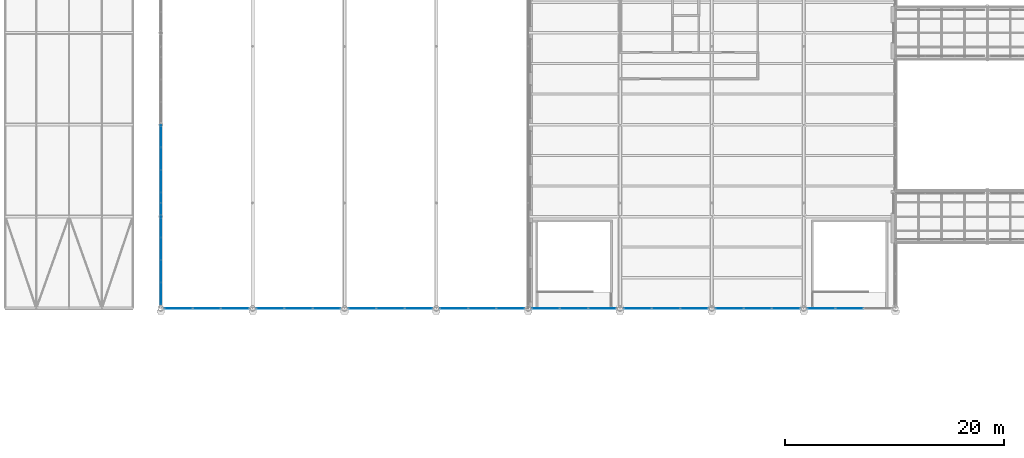
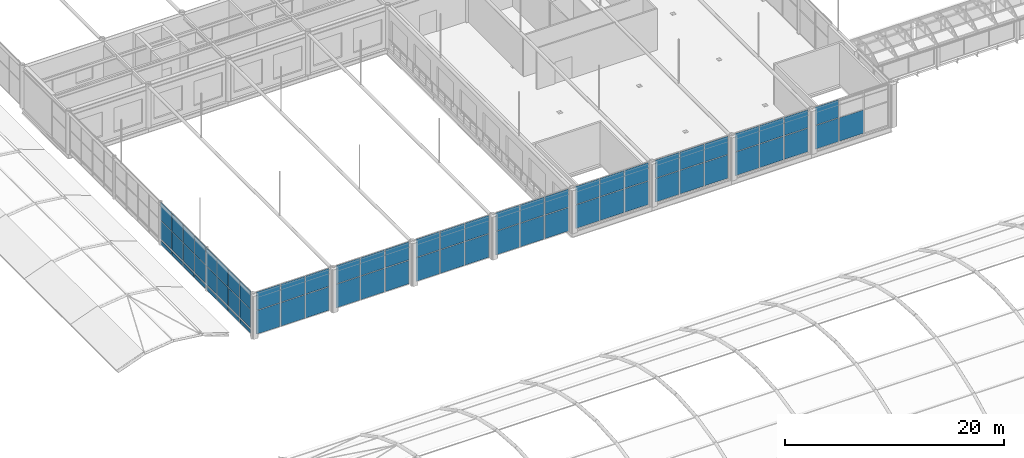
# One storey, part 142 of 167: 69 plates, 10 elements without a shape of their own.
"""IFC4 building model written with IfcOpenShell, lengths in metres."""

from ifc_helpers import new_model, si_unit, direction, frame, origin, origin_2d, place, context, subcontext, project, spatial, rectangle, extrude, material, layer, layer_set, type_object, element, aggregate, save


model = new_model("IFC4")

# Units and contexts
model_context = context("Model", 3, precision=1e-05, world=origin(), true_north=direction((0.0, 1.0)))
body_context = subcontext(model_context, "Body", "Model", "MODEL_VIEW")
ifc_project = project(units=[si_unit("LENGTHUNIT", "METRE"), si_unit("AREAUNIT", "SQUARE_METRE"), si_unit("VOLUMEUNIT", "CUBIC_METRE"), si_unit("PLANEANGLEUNIT", "RADIAN"), si_unit("MASSUNIT", "GRAM", prefix="KILO")], contexts=[model_context])

# Site, building, storey
site_placement = place(None, origin())
site = spatial("IfcSite", under=ifc_project, at=site_placement, CompositionType="ELEMENT")
building_placement = place(site_placement, origin())
building = spatial("IfcBuilding", under=site, at=building_placement, Name="Catenary Quay Ferry Terminal", CompositionType="ELEMENT")
storey_placement = place(building_placement, frame((0.0, 0.0, 6.0)))
storey = spatial("IfcBuildingStorey", under=building, at=storey_placement, Name="L01", CompositionType="ELEMENT", Elevation=6.0)

# Curtain wall, plates
ifc_material_1 = material(Name="Aluminium and glass", Category="aluminium")
curtain_wall_type_1 = type_object("IfcCurtainWallType", Name="CWG", PredefinedType="NOTDEFINED", material=ifc_material_1)
curtain_wall_1_placement = place(storey_placement, origin())
curtain_wall_1 = element("IfcCurtainWall", 1, at=curtain_wall_1_placement, inside=storey, type_object=curtain_wall_type_1, Name="Gable arrivals hall curtain wall CW4", PredefinedType="NOTDEFINED")
ifc_material_2 = material(Name="Glass", Category="glass")
ifc_layer_1 = layer(ifc_material_2, 0.031982421875)
ifc_layer_set_1 = layer_set([ifc_layer_1], Name="PN1")
plate_type_1 = type_object("IfcPlateType", Name="PN1", PredefinedType="CURTAIN_PANEL", material=ifc_layer_set_1)
plate_1_placement = place(storey_placement, frame((25.199951171875, 68.546142578125, 0.66015625), z_axis=(0.0, 0.0, 1.0), x_axis=(0.0, 1.0, 0.0)))
plate_1 = element("IfcPlate", 2, at=plate_1_placement, type_object=plate_type_1, Name="CW4 panel 1.1", PredefinedType="CURTAIN_PANEL", context=body_context, shape_type="SweptSolid", body=[
    extrude(rectangle(XDim=1.972412109375, YDim=0.031982421875, at=origin_2d()), origin(), (0.0, 0.0, 1.0), 2.010009765625),
])
plate_2_placement = place(storey_placement, frame((25.199951171875, 68.546142578125, 2.72998046875), z_axis=(0.0, 0.0, 1.0), x_axis=(0.0, 1.0, 0.0)))
plate_2 = element("IfcPlate", 3, at=plate_2_placement, type_object=plate_type_1, Name="CW4 panel 1.2", PredefinedType="CURTAIN_PANEL", context=body_context, shape_type="SweptSolid", body=[
    extrude(rectangle(XDim=1.972412109375, YDim=0.031982421875, at=origin_2d()), origin(), (0.0, 0.0, 1.0), 2.010009765625),
])
plate_3_placement = place(storey_placement, frame((25.199951171875, 70.59375, 0.66015625), z_axis=(0.0, 0.0, 1.0), x_axis=(0.0, 1.0, 0.0)))
plate_3 = element("IfcPlate", 4, at=plate_3_placement, type_object=plate_type_1, Name="CW4 panel 2.1", PredefinedType="CURTAIN_PANEL", context=body_context, shape_type="SweptSolid", body=[
    extrude(rectangle(XDim=2.00244140625, YDim=0.031982421875, at=origin_2d()), origin(), (0.0, 0.0, 1.0), 2.010009765625),
])
plate_4_placement = place(storey_placement, frame((25.199951171875, 70.59375, 2.72998046875), z_axis=(0.0, 0.0, 1.0), x_axis=(0.0, 1.0, 0.0)))
plate_4 = element("IfcPlate", 5, at=plate_4_placement, type_object=plate_type_1, Name="CW4 panel 2.2", PredefinedType="CURTAIN_PANEL", context=body_context, shape_type="SweptSolid", body=[
    extrude(rectangle(XDim=2.00244140625, YDim=0.031982421875, at=origin_2d()), origin(), (0.0, 0.0, 1.0), 2.010009765625),
])
plate_5_placement = place(storey_placement, frame((25.199951171875, 72.65625, 0.66015625), z_axis=(0.0, 0.0, 1.0), x_axis=(0.0, 1.0, 0.0)))
plate_5 = element("IfcPlate", 6, at=plate_5_placement, type_object=plate_type_1, Name="CW4 panel 3.1", PredefinedType="CURTAIN_PANEL", context=body_context, shape_type="SweptSolid", body=[
    extrude(rectangle(XDim=2.00244140625, YDim=0.031982421875, at=origin_2d()), origin(), (0.0, 0.0, 1.0), 2.010009765625),
])
plate_6_placement = place(storey_placement, frame((25.199951171875, 72.65625, 2.72998046875), z_axis=(0.0, 0.0, 1.0), x_axis=(0.0, 1.0, 0.0)))
plate_6 = element("IfcPlate", 7, at=plate_6_placement, type_object=plate_type_1, Name="CW4 panel 3.2", PredefinedType="CURTAIN_PANEL", context=body_context, shape_type="SweptSolid", body=[
    extrude(rectangle(XDim=2.00244140625, YDim=0.031982421875, at=origin_2d()), origin(), (0.0, 0.0, 1.0), 2.010009765625),
])
plate_7_placement = place(storey_placement, frame((25.199951171875, 74.71875, 0.66015625), z_axis=(0.0, 0.0, 1.0), x_axis=(0.0, 1.0, 0.0)))
plate_7 = element("IfcPlate", 8, at=plate_7_placement, type_object=plate_type_1, Name="CW4 panel 4.1", PredefinedType="CURTAIN_PANEL", context=body_context, shape_type="SweptSolid", body=[
    extrude(rectangle(XDim=2.00244140625, YDim=0.031982421875, at=origin_2d()), origin(), (0.0, 0.0, 1.0), 2.010009765625),
])
plate_8_placement = place(storey_placement, frame((25.199951171875, 74.71875, 2.72998046875), z_axis=(0.0, 0.0, 1.0), x_axis=(0.0, 1.0, 0.0)))
plate_8 = element("IfcPlate", 9, at=plate_8_placement, type_object=plate_type_1, Name="CW4 panel 4.2", PredefinedType="CURTAIN_PANEL", context=body_context, shape_type="SweptSolid", body=[
    extrude(rectangle(XDim=2.00244140625, YDim=0.031982421875, at=origin_2d()), origin(), (0.0, 0.0, 1.0), 2.010009765625),
])
plate_9_placement = place(storey_placement, frame((25.199951171875, 76.78125, 0.66015625), z_axis=(0.0, 0.0, 1.0), x_axis=(0.0, 1.0, 0.0)))
plate_9 = element("IfcPlate", 10, at=plate_9_placement, type_object=plate_type_1, Name="CW4 panel 5.1", PredefinedType="CURTAIN_PANEL", context=body_context, shape_type="SweptSolid", body=[
    extrude(rectangle(XDim=2.00244140625, YDim=0.031982421875, at=origin_2d()), origin(), (0.0, 0.0, 1.0), 2.010009765625),
])
plate_10_placement = place(storey_placement, frame((25.199951171875, 76.78125, 2.72998046875), z_axis=(0.0, 0.0, 1.0), x_axis=(0.0, 1.0, 0.0)))
plate_10 = element("IfcPlate", 11, at=plate_10_placement, type_object=plate_type_1, Name="CW4 panel 5.2", PredefinedType="CURTAIN_PANEL", context=body_context, shape_type="SweptSolid", body=[
    extrude(rectangle(XDim=2.00244140625, YDim=0.031982421875, at=origin_2d()), origin(), (0.0, 0.0, 1.0), 2.010009765625),
])
plate_11_placement = place(storey_placement, frame((25.199951171875, 78.84375, 0.66015625), z_axis=(0.0, 0.0, 1.0), x_axis=(0.0, 1.0, 0.0)))
plate_11 = element("IfcPlate", 12, at=plate_11_placement, type_object=plate_type_1, Name="CW4 panel 6.1", PredefinedType="CURTAIN_PANEL", context=body_context, shape_type="SweptSolid", body=[
    extrude(rectangle(XDim=2.00244140625, YDim=0.031982421875, at=origin_2d()), origin(), (0.0, 0.0, 1.0), 2.010009765625),
])
plate_12_placement = place(storey_placement, frame((25.199951171875, 78.84375, 2.72998046875), z_axis=(0.0, 0.0, 1.0), x_axis=(0.0, 1.0, 0.0)))
plate_12 = element("IfcPlate", 13, at=plate_12_placement, type_object=plate_type_1, Name="CW4 panel 6.2", PredefinedType="CURTAIN_PANEL", context=body_context, shape_type="SweptSolid", body=[
    extrude(rectangle(XDim=2.00244140625, YDim=0.031982421875, at=origin_2d()), origin(), (0.0, 0.0, 1.0), 2.010009765625),
])
plate_13_placement = place(storey_placement, frame((25.199951171875, 80.90625, 0.66015625), z_axis=(0.0, 0.0, 1.0), x_axis=(0.0, 1.0, 0.0)))
plate_13 = element("IfcPlate", 14, at=plate_13_placement, type_object=plate_type_1, Name="CW4 panel 7.1", PredefinedType="CURTAIN_PANEL", context=body_context, shape_type="SweptSolid", body=[
    extrude(rectangle(XDim=2.00244140625, YDim=0.031982421875, at=origin_2d()), origin(), (0.0, 0.0, 1.0), 2.010009765625),
])
plate_14_placement = place(storey_placement, frame((25.199951171875, 80.90625, 2.72998046875), z_axis=(0.0, 0.0, 1.0), x_axis=(0.0, 1.0, 0.0)))
plate_14 = element("IfcPlate", 15, at=plate_14_placement, type_object=plate_type_1, Name="CW4 panel 7.2", PredefinedType="CURTAIN_PANEL", context=body_context, shape_type="SweptSolid", body=[
    extrude(rectangle(XDim=2.00244140625, YDim=0.031982421875, at=origin_2d()), origin(), (0.0, 0.0, 1.0), 2.010009765625),
])
plate_15_placement = place(storey_placement, frame((25.199951171875, 82.96875, 0.66015625), z_axis=(0.0, 0.0, 1.0), x_axis=(0.0, 1.0, 0.0)))
plate_15 = element("IfcPlate", 16, at=plate_15_placement, type_object=plate_type_1, Name="CW4 panel 8.1", PredefinedType="CURTAIN_PANEL", context=body_context, shape_type="SweptSolid", body=[
    extrude(rectangle(XDim=2.00244140625, YDim=0.031982421875, at=origin_2d()), origin(), (0.0, 0.0, 1.0), 2.010009765625),
])
plate_16_placement = place(storey_placement, frame((25.199951171875, 82.96875, 2.72998046875), z_axis=(0.0, 0.0, 1.0), x_axis=(0.0, 1.0, 0.0)))
plate_16 = element("IfcPlate", 17, at=plate_16_placement, type_object=plate_type_1, Name="CW4 panel 8.2", PredefinedType="CURTAIN_PANEL", context=body_context, shape_type="SweptSolid", body=[
    extrude(rectangle(XDim=2.00244140625, YDim=0.031982421875, at=origin_2d()), origin(), (0.0, 0.0, 1.0), 2.010009765625),
])
aggregate(curtain_wall_1, [plate_1, plate_2, plate_3, plate_4, plate_5, plate_6, plate_7, plate_8, plate_9, plate_10, plate_11, plate_12, plate_13, plate_14, plate_15, plate_16])

ifc_material_3 = material(Name="Aluminium and glass", Category="aluminium")
curtain_wall_type_2 = type_object("IfcCurtainWallType", Name="CWH", PredefinedType="NOTDEFINED", material=ifc_material_3)
curtain_wall_2_placement = place(storey_placement, origin())
curtain_wall_2 = element("IfcCurtainWall", 18, at=curtain_wall_2_placement, inside=storey, type_object=curtain_wall_type_2, Name="Hall curtain wall CW32", PredefinedType="NOTDEFINED")
ifc_material_4 = material(Name="Glass", Category="glass")
ifc_layer_2 = layer(ifc_material_4, 0.0400390625)
ifc_layer_set_2 = layer_set([ifc_layer_2], Name="PN2")
plate_type_2 = type_object("IfcPlateType", Name="PN2", PredefinedType="CURTAIN_PANEL", material=ifc_layer_set_2)
plate_17_placement = place(storey_placement, frame((26.8173828125, 67.199951171875, 0.06005859375), z_axis=(0.0, 0.0, 1.0), x_axis=(1.0, 0.0, 0.0)))
plate_17 = element("IfcPlate", 19, at=plate_17_placement, type_object=plate_type_2, Name="CW32 panel 1.1", PredefinedType="CURTAIN_PANEL", context=body_context, shape_type="SweptSolid", body=[
    extrude(rectangle(XDim=2.4951171875, YDim=0.0400390625, at=origin_2d()), origin(), (0.0, 0.0, 1.0), 2.610107421875),
])
plate_18_placement = place(storey_placement, frame((26.8173828125, 67.199951171875, 2.72998046875), z_axis=(0.0, 0.0, 1.0), x_axis=(1.0, 0.0, 0.0)))
plate_18 = element("IfcPlate", 20, at=plate_18_placement, type_object=plate_type_2, Name="CW32 panel 1.2", PredefinedType="CURTAIN_PANEL", context=body_context, shape_type="SweptSolid", body=[
    extrude(rectangle(XDim=2.4951171875, YDim=0.0400390625, at=origin_2d()), origin(), (0.0, 0.0, 1.0), 2.010009765625),
])
plate_19_placement = place(storey_placement, frame((29.39990234375, 67.199951171875, 0.06005859375), z_axis=(0.0, 0.0, 1.0), x_axis=(1.0, 0.0, 0.0)))
plate_19 = element("IfcPlate", 21, at=plate_19_placement, type_object=plate_type_2, Name="CW32 panel 2.1", PredefinedType="CURTAIN_PANEL", context=body_context, shape_type="SweptSolid", body=[
    extrude(rectangle(XDim=2.530029296875, YDim=0.0400390625, at=origin_2d()), origin(), (0.0, 0.0, 1.0), 2.610107421875),
])
plate_20_placement = place(storey_placement, frame((29.39990234375, 67.199951171875, 2.72998046875), z_axis=(0.0, 0.0, 1.0), x_axis=(1.0, 0.0, 0.0)))
plate_20 = element("IfcPlate", 22, at=plate_20_placement, type_object=plate_type_2, Name="CW32 panel 2.2", PredefinedType="CURTAIN_PANEL", context=body_context, shape_type="SweptSolid", body=[
    extrude(rectangle(XDim=2.530029296875, YDim=0.0400390625, at=origin_2d()), origin(), (0.0, 0.0, 1.0), 2.010009765625),
])
plate_21_placement = place(storey_placement, frame((31.982421875, 67.199951171875, 0.06005859375), z_axis=(0.0, 0.0, 1.0), x_axis=(1.0, 0.0, 0.0)))
plate_21 = element("IfcPlate", 23, at=plate_21_placement, type_object=plate_type_2, Name="CW32 panel 3.1", PredefinedType="CURTAIN_PANEL", context=body_context, shape_type="SweptSolid", body=[
    extrude(rectangle(XDim=2.4951171875, YDim=0.0400390625, at=origin_2d()), origin(), (0.0, 0.0, 1.0), 2.610107421875),
])
plate_22_placement = place(storey_placement, frame((31.982421875, 67.199951171875, 2.72998046875), z_axis=(0.0, 0.0, 1.0), x_axis=(1.0, 0.0, 0.0)))
plate_22 = element("IfcPlate", 24, at=plate_22_placement, type_object=plate_type_2, Name="CW32 panel 3.2", PredefinedType="CURTAIN_PANEL", context=body_context, shape_type="SweptSolid", body=[
    extrude(rectangle(XDim=2.4951171875, YDim=0.0400390625, at=origin_2d()), origin(), (0.0, 0.0, 1.0), 2.010009765625),
])
aggregate(curtain_wall_2, [plate_17, plate_18, plate_19, plate_20, plate_21, plate_22])

curtain_wall_3_placement = place(storey_placement, origin())
curtain_wall_3 = element("IfcCurtainWall", 25, at=curtain_wall_3_placement, inside=storey, type_object=curtain_wall_type_2, Name="Hall curtain wall CW33", PredefinedType="NOTDEFINED")
plate_23_placement = place(storey_placement, frame((35.217529296875, 67.199951171875, 0.06005859375), z_axis=(0.0, 0.0, 1.0), x_axis=(1.0, 0.0, 0.0)))
plate_23 = element("IfcPlate", 26, at=plate_23_placement, type_object=plate_type_2, Name="CW33 panel 1.1", PredefinedType="CURTAIN_PANEL", context=body_context, shape_type="SweptSolid", body=[
    extrude(rectangle(XDim=2.4951171875, YDim=0.0400390625, at=origin_2d()), origin(), (0.0, 0.0, 1.0), 2.610107421875),
])
plate_24_placement = place(storey_placement, frame((35.217529296875, 67.199951171875, 2.72998046875), z_axis=(0.0, 0.0, 1.0), x_axis=(1.0, 0.0, 0.0)))
plate_24 = element("IfcPlate", 27, at=plate_24_placement, type_object=plate_type_2, Name="CW33 panel 1.2", PredefinedType="CURTAIN_PANEL", context=body_context, shape_type="SweptSolid", body=[
    extrude(rectangle(XDim=2.4951171875, YDim=0.0400390625, at=origin_2d()), origin(), (0.0, 0.0, 1.0), 2.010009765625),
])
plate_25_placement = place(storey_placement, frame((37.800048828125, 67.199951171875, 0.06005859375), z_axis=(0.0, 0.0, 1.0), x_axis=(1.0, 0.0, 0.0)))
plate_25 = element("IfcPlate", 28, at=plate_25_placement, type_object=plate_type_2, Name="CW33 panel 2.1", PredefinedType="CURTAIN_PANEL", context=body_context, shape_type="SweptSolid", body=[
    extrude(rectangle(XDim=2.530029296875, YDim=0.0400390625, at=origin_2d()), origin(), (0.0, 0.0, 1.0), 2.610107421875),
])
plate_26_placement = place(storey_placement, frame((37.800048828125, 67.199951171875, 2.72998046875), z_axis=(0.0, 0.0, 1.0), x_axis=(1.0, 0.0, 0.0)))
plate_26 = element("IfcPlate", 29, at=plate_26_placement, type_object=plate_type_2, Name="CW33 panel 2.2", PredefinedType="CURTAIN_PANEL", context=body_context, shape_type="SweptSolid", body=[
    extrude(rectangle(XDim=2.530029296875, YDim=0.0400390625, at=origin_2d()), origin(), (0.0, 0.0, 1.0), 2.010009765625),
])
plate_27_placement = place(storey_placement, frame((40.382568359375, 67.199951171875, 0.06005859375), z_axis=(0.0, 0.0, 1.0), x_axis=(1.0, 0.0, 0.0)))
plate_27 = element("IfcPlate", 30, at=plate_27_placement, type_object=plate_type_2, Name="CW33 panel 3.1", PredefinedType="CURTAIN_PANEL", context=body_context, shape_type="SweptSolid", body=[
    extrude(rectangle(XDim=2.4951171875, YDim=0.0400390625, at=origin_2d()), origin(), (0.0, 0.0, 1.0), 2.610107421875),
])
plate_28_placement = place(storey_placement, frame((40.382568359375, 67.199951171875, 2.72998046875), z_axis=(0.0, 0.0, 1.0), x_axis=(1.0, 0.0, 0.0)))
plate_28 = element("IfcPlate", 31, at=plate_28_placement, type_object=plate_type_2, Name="CW33 panel 3.2", PredefinedType="CURTAIN_PANEL", context=body_context, shape_type="SweptSolid", body=[
    extrude(rectangle(XDim=2.4951171875, YDim=0.0400390625, at=origin_2d()), origin(), (0.0, 0.0, 1.0), 2.010009765625),
])
aggregate(curtain_wall_3, [plate_23, plate_24, plate_25, plate_26, plate_27, plate_28])

curtain_wall_4_placement = place(storey_placement, origin())
curtain_wall_4 = element("IfcCurtainWall", 32, at=curtain_wall_4_placement, inside=storey, type_object=curtain_wall_type_2, Name="Hall curtain wall CW34", PredefinedType="NOTDEFINED")
plate_29_placement = place(storey_placement, frame((43.617431640625, 67.199951171875, 0.06005859375), z_axis=(0.0, 0.0, 1.0), x_axis=(1.0, 0.0, 0.0)))
plate_29 = element("IfcPlate", 33, at=plate_29_placement, type_object=plate_type_2, Name="CW34 panel 1.1", PredefinedType="CURTAIN_PANEL", context=body_context, shape_type="SweptSolid", body=[
    extrude(rectangle(XDim=2.4951171875, YDim=0.0400390625, at=origin_2d()), origin(), (0.0, 0.0, 1.0), 2.610107421875),
])
plate_30_placement = place(storey_placement, frame((43.617431640625, 67.199951171875, 2.72998046875), z_axis=(0.0, 0.0, 1.0), x_axis=(1.0, 0.0, 0.0)))
plate_30 = element("IfcPlate", 34, at=plate_30_placement, type_object=plate_type_2, Name="CW34 panel 1.2", PredefinedType="CURTAIN_PANEL", context=body_context, shape_type="SweptSolid", body=[
    extrude(rectangle(XDim=2.4951171875, YDim=0.0400390625, at=origin_2d()), origin(), (0.0, 0.0, 1.0), 2.010009765625),
])
plate_31_placement = place(storey_placement, frame((46.199951171875, 67.199951171875, 0.06005859375), z_axis=(0.0, 0.0, 1.0), x_axis=(1.0, 0.0, 0.0)))
plate_31 = element("IfcPlate", 35, at=plate_31_placement, type_object=plate_type_2, Name="CW34 panel 2.1", PredefinedType="CURTAIN_PANEL", context=body_context, shape_type="SweptSolid", body=[
    extrude(rectangle(XDim=2.530029296875, YDim=0.0400390625, at=origin_2d()), origin(), (0.0, 0.0, 1.0), 2.610107421875),
])
plate_32_placement = place(storey_placement, frame((46.199951171875, 67.199951171875, 2.72998046875), z_axis=(0.0, 0.0, 1.0), x_axis=(1.0, 0.0, 0.0)))
plate_32 = element("IfcPlate", 36, at=plate_32_placement, type_object=plate_type_2, Name="CW34 panel 2.2", PredefinedType="CURTAIN_PANEL", context=body_context, shape_type="SweptSolid", body=[
    extrude(rectangle(XDim=2.530029296875, YDim=0.0400390625, at=origin_2d()), origin(), (0.0, 0.0, 1.0), 2.010009765625),
])
plate_33_placement = place(storey_placement, frame((48.782470703125, 67.199951171875, 0.06005859375), z_axis=(0.0, 0.0, 1.0), x_axis=(1.0, 0.0, 0.0)))
plate_33 = element("IfcPlate", 37, at=plate_33_placement, type_object=plate_type_2, Name="CW34 panel 3.1", PredefinedType="CURTAIN_PANEL", context=body_context, shape_type="SweptSolid", body=[
    extrude(rectangle(XDim=2.4951171875, YDim=0.0400390625, at=origin_2d()), origin(), (0.0, 0.0, 1.0), 2.610107421875),
])
plate_34_placement = place(storey_placement, frame((48.782470703125, 67.199951171875, 2.72998046875), z_axis=(0.0, 0.0, 1.0), x_axis=(1.0, 0.0, 0.0)))
plate_34 = element("IfcPlate", 38, at=plate_34_placement, type_object=plate_type_2, Name="CW34 panel 3.2", PredefinedType="CURTAIN_PANEL", context=body_context, shape_type="SweptSolid", body=[
    extrude(rectangle(XDim=2.4951171875, YDim=0.0400390625, at=origin_2d()), origin(), (0.0, 0.0, 1.0), 2.010009765625),
])
aggregate(curtain_wall_4, [plate_29, plate_30, plate_31, plate_32, plate_33, plate_34])

curtain_wall_5_placement = place(storey_placement, origin())
curtain_wall_5 = element("IfcCurtainWall", 39, at=curtain_wall_5_placement, inside=storey, type_object=curtain_wall_type_2, Name="Hall curtain wall CW35", PredefinedType="NOTDEFINED")
plate_35_placement = place(storey_placement, frame((52.017578125, 67.199951171875, 0.06005859375), z_axis=(0.0, 0.0, 1.0), x_axis=(1.0, 0.0, 0.0)))
plate_35 = element("IfcPlate", 40, at=plate_35_placement, type_object=plate_type_2, Name="CW35 panel 1.1", PredefinedType="CURTAIN_PANEL", context=body_context, shape_type="SweptSolid", body=[
    extrude(rectangle(XDim=2.4951171875, YDim=0.0400390625, at=origin_2d()), origin(), (0.0, 0.0, 1.0), 2.610107421875),
])
plate_36_placement = place(storey_placement, frame((52.017578125, 67.199951171875, 2.72998046875), z_axis=(0.0, 0.0, 1.0), x_axis=(1.0, 0.0, 0.0)))
plate_36 = element("IfcPlate", 41, at=plate_36_placement, type_object=plate_type_2, Name="CW35 panel 1.2", PredefinedType="CURTAIN_PANEL", context=body_context, shape_type="SweptSolid", body=[
    extrude(rectangle(XDim=2.4951171875, YDim=0.0400390625, at=origin_2d()), origin(), (0.0, 0.0, 1.0), 2.010009765625),
])
plate_37_placement = place(storey_placement, frame((54.60009765625, 67.199951171875, 0.06005859375), z_axis=(0.0, 0.0, 1.0), x_axis=(1.0, 0.0, 0.0)))
plate_37 = element("IfcPlate", 42, at=plate_37_placement, type_object=plate_type_2, Name="CW35 panel 2.1", PredefinedType="CURTAIN_PANEL", context=body_context, shape_type="SweptSolid", body=[
    extrude(rectangle(XDim=2.530029296875, YDim=0.0400390625, at=origin_2d()), origin(), (0.0, 0.0, 1.0), 2.610107421875),
])
plate_38_placement = place(storey_placement, frame((54.60009765625, 67.199951171875, 2.72998046875), z_axis=(0.0, 0.0, 1.0), x_axis=(1.0, 0.0, 0.0)))
plate_38 = element("IfcPlate", 43, at=plate_38_placement, type_object=plate_type_2, Name="CW35 panel 2.2", PredefinedType="CURTAIN_PANEL", context=body_context, shape_type="SweptSolid", body=[
    extrude(rectangle(XDim=2.530029296875, YDim=0.0400390625, at=origin_2d()), origin(), (0.0, 0.0, 1.0), 2.010009765625),
])
plate_39_placement = place(storey_placement, frame((57.1826171875, 67.199951171875, 0.06005859375), z_axis=(0.0, 0.0, 1.0), x_axis=(1.0, 0.0, 0.0)))
plate_39 = element("IfcPlate", 44, at=plate_39_placement, type_object=plate_type_2, Name="CW35 panel 3.1", PredefinedType="CURTAIN_PANEL", context=body_context, shape_type="SweptSolid", body=[
    extrude(rectangle(XDim=2.4951171875, YDim=0.0400390625, at=origin_2d()), origin(), (0.0, 0.0, 1.0), 2.610107421875),
])
plate_40_placement = place(storey_placement, frame((57.1826171875, 67.199951171875, 2.72998046875), z_axis=(0.0, 0.0, 1.0), x_axis=(1.0, 0.0, 0.0)))
plate_40 = element("IfcPlate", 45, at=plate_40_placement, type_object=plate_type_2, Name="CW35 panel 3.2", PredefinedType="CURTAIN_PANEL", context=body_context, shape_type="SweptSolid", body=[
    extrude(rectangle(XDim=2.4951171875, YDim=0.0400390625, at=origin_2d()), origin(), (0.0, 0.0, 1.0), 2.010009765625),
])
aggregate(curtain_wall_5, [plate_35, plate_36, plate_37, plate_38, plate_39, plate_40])

curtain_wall_6_placement = place(storey_placement, origin())
curtain_wall_6 = element("IfcCurtainWall", 46, at=curtain_wall_6_placement, inside=storey, type_object=curtain_wall_type_2, Name="Hall curtain wall CW36", PredefinedType="NOTDEFINED")
plate_41_placement = place(storey_placement, frame((60.41748046875, 67.199951171875, 0.06005859375), z_axis=(0.0, 0.0, 1.0), x_axis=(1.0, 0.0, 0.0)))
plate_41 = element("IfcPlate", 47, at=plate_41_placement, type_object=plate_type_2, Name="CW36 panel 1.1", PredefinedType="CURTAIN_PANEL", context=body_context, shape_type="SweptSolid", body=[
    extrude(rectangle(XDim=2.4951171875, YDim=0.0400390625, at=origin_2d()), origin(), (0.0, 0.0, 1.0), 2.610107421875),
])
plate_42_placement = place(storey_placement, frame((60.41748046875, 67.199951171875, 2.72998046875), z_axis=(0.0, 0.0, 1.0), x_axis=(1.0, 0.0, 0.0)))
plate_42 = element("IfcPlate", 48, at=plate_42_placement, type_object=plate_type_2, Name="CW36 panel 1.2", PredefinedType="CURTAIN_PANEL", context=body_context, shape_type="SweptSolid", body=[
    extrude(rectangle(XDim=2.4951171875, YDim=0.0400390625, at=origin_2d()), origin(), (0.0, 0.0, 1.0), 2.010009765625),
])
plate_43_placement = place(storey_placement, frame((63.0, 67.199951171875, 0.06005859375), z_axis=(0.0, 0.0, 1.0), x_axis=(1.0, 0.0, 0.0)))
plate_43 = element("IfcPlate", 49, at=plate_43_placement, type_object=plate_type_2, Name="CW36 panel 2.1", PredefinedType="CURTAIN_PANEL", context=body_context, shape_type="SweptSolid", body=[
    extrude(rectangle(XDim=2.530029296875, YDim=0.0400390625, at=origin_2d()), origin(), (0.0, 0.0, 1.0), 2.610107421875),
])
plate_44_placement = place(storey_placement, frame((63.0, 67.199951171875, 2.72998046875), z_axis=(0.0, 0.0, 1.0), x_axis=(1.0, 0.0, 0.0)))
plate_44 = element("IfcPlate", 50, at=plate_44_placement, type_object=plate_type_2, Name="CW36 panel 2.2", PredefinedType="CURTAIN_PANEL", context=body_context, shape_type="SweptSolid", body=[
    extrude(rectangle(XDim=2.530029296875, YDim=0.0400390625, at=origin_2d()), origin(), (0.0, 0.0, 1.0), 2.010009765625),
])
plate_45_placement = place(storey_placement, frame((65.58251953125, 67.199951171875, 0.06005859375), z_axis=(0.0, 0.0, 1.0), x_axis=(1.0, 0.0, 0.0)))
plate_45 = element("IfcPlate", 51, at=plate_45_placement, type_object=plate_type_2, Name="CW36 panel 3.1", PredefinedType="CURTAIN_PANEL", context=body_context, shape_type="SweptSolid", body=[
    extrude(rectangle(XDim=2.4951171875, YDim=0.0400390625, at=origin_2d()), origin(), (0.0, 0.0, 1.0), 2.610107421875),
])
plate_46_placement = place(storey_placement, frame((65.58251953125, 67.199951171875, 2.72998046875), z_axis=(0.0, 0.0, 1.0), x_axis=(1.0, 0.0, 0.0)))
plate_46 = element("IfcPlate", 52, at=plate_46_placement, type_object=plate_type_2, Name="CW36 panel 3.2", PredefinedType="CURTAIN_PANEL", context=body_context, shape_type="SweptSolid", body=[
    extrude(rectangle(XDim=2.4951171875, YDim=0.0400390625, at=origin_2d()), origin(), (0.0, 0.0, 1.0), 2.010009765625),
])
aggregate(curtain_wall_6, [plate_41, plate_42, plate_43, plate_44, plate_45, plate_46])

curtain_wall_7_placement = place(storey_placement, origin())
curtain_wall_7 = element("IfcCurtainWall", 53, at=curtain_wall_7_placement, inside=storey, type_object=curtain_wall_type_2, Name="Hall curtain wall CW37", PredefinedType="NOTDEFINED")
plate_47_placement = place(storey_placement, frame((68.8173828125, 67.199951171875, 0.06005859375), z_axis=(0.0, 0.0, 1.0), x_axis=(1.0, 0.0, 0.0)))
plate_47 = element("IfcPlate", 54, at=plate_47_placement, type_object=plate_type_2, Name="CW37 panel 1.1", PredefinedType="CURTAIN_PANEL", context=body_context, shape_type="SweptSolid", body=[
    extrude(rectangle(XDim=2.4951171875, YDim=0.0400390625, at=origin_2d()), origin(), (0.0, 0.0, 1.0), 2.610107421875),
])
plate_48_placement = place(storey_placement, frame((68.8173828125, 67.199951171875, 2.72998046875), z_axis=(0.0, 0.0, 1.0), x_axis=(1.0, 0.0, 0.0)))
plate_48 = element("IfcPlate", 55, at=plate_48_placement, type_object=plate_type_2, Name="CW37 panel 1.2", PredefinedType="CURTAIN_PANEL", context=body_context, shape_type="SweptSolid", body=[
    extrude(rectangle(XDim=2.4951171875, YDim=0.0400390625, at=origin_2d()), origin(), (0.0, 0.0, 1.0), 2.010009765625),
])
plate_49_placement = place(storey_placement, frame((71.39990234375, 67.199951171875, 0.06005859375), z_axis=(0.0, 0.0, 1.0), x_axis=(1.0, 0.0, 0.0)))
plate_49 = element("IfcPlate", 56, at=plate_49_placement, type_object=plate_type_2, Name="CW37 panel 2.1", PredefinedType="CURTAIN_PANEL", context=body_context, shape_type="SweptSolid", body=[
    extrude(rectangle(XDim=2.530029296875, YDim=0.0400390625, at=origin_2d()), origin(), (0.0, 0.0, 1.0), 2.610107421875),
])
plate_50_placement = place(storey_placement, frame((71.39990234375, 67.199951171875, 2.72998046875), z_axis=(0.0, 0.0, 1.0), x_axis=(1.0, 0.0, 0.0)))
plate_50 = element("IfcPlate", 57, at=plate_50_placement, type_object=plate_type_2, Name="CW37 panel 2.2", PredefinedType="CURTAIN_PANEL", context=body_context, shape_type="SweptSolid", body=[
    extrude(rectangle(XDim=2.530029296875, YDim=0.0400390625, at=origin_2d()), origin(), (0.0, 0.0, 1.0), 2.010009765625),
])
plate_51_placement = place(storey_placement, frame((73.982421875, 67.199951171875, 0.06005859375), z_axis=(0.0, 0.0, 1.0), x_axis=(1.0, 0.0, 0.0)))
plate_51 = element("IfcPlate", 58, at=plate_51_placement, type_object=plate_type_2, Name="CW37 panel 3.1", PredefinedType="CURTAIN_PANEL", context=body_context, shape_type="SweptSolid", body=[
    extrude(rectangle(XDim=2.4951171875, YDim=0.0400390625, at=origin_2d()), origin(), (0.0, 0.0, 1.0), 2.610107421875),
])
plate_52_placement = place(storey_placement, frame((73.982421875, 67.199951171875, 2.72998046875), z_axis=(0.0, 0.0, 1.0), x_axis=(1.0, 0.0, 0.0)))
plate_52 = element("IfcPlate", 59, at=plate_52_placement, type_object=plate_type_2, Name="CW37 panel 3.2", PredefinedType="CURTAIN_PANEL", context=body_context, shape_type="SweptSolid", body=[
    extrude(rectangle(XDim=2.4951171875, YDim=0.0400390625, at=origin_2d()), origin(), (0.0, 0.0, 1.0), 2.010009765625),
])
aggregate(curtain_wall_7, [plate_47, plate_48, plate_49, plate_50, plate_51, plate_52])

curtain_wall_8_placement = place(storey_placement, origin())
curtain_wall_8 = element("IfcCurtainWall", 60, at=curtain_wall_8_placement, inside=storey, type_object=curtain_wall_type_2, Name="Hall curtain wall CW38", PredefinedType="NOTDEFINED")
plate_53_placement = place(storey_placement, frame((77.217529296875, 67.199951171875, 0.06005859375), z_axis=(0.0, 0.0, 1.0), x_axis=(1.0, 0.0, 0.0)))
plate_53 = element("IfcPlate", 61, at=plate_53_placement, type_object=plate_type_2, Name="CW38 panel 1.1", PredefinedType="CURTAIN_PANEL", context=body_context, shape_type="SweptSolid", body=[
    extrude(rectangle(XDim=2.4951171875, YDim=0.0400390625, at=origin_2d()), origin(), (0.0, 0.0, 1.0), 2.610107421875),
])
plate_54_placement = place(storey_placement, frame((77.217529296875, 67.199951171875, 2.72998046875), z_axis=(0.0, 0.0, 1.0), x_axis=(1.0, 0.0, 0.0)))
plate_54 = element("IfcPlate", 62, at=plate_54_placement, type_object=plate_type_2, Name="CW38 panel 1.2", PredefinedType="CURTAIN_PANEL", context=body_context, shape_type="SweptSolid", body=[
    extrude(rectangle(XDim=2.4951171875, YDim=0.0400390625, at=origin_2d()), origin(), (0.0, 0.0, 1.0), 2.010009765625),
])
plate_55_placement = place(storey_placement, frame((79.800048828125, 67.199951171875, 0.06005859375), z_axis=(0.0, 0.0, 1.0), x_axis=(1.0, 0.0, 0.0)))
plate_55 = element("IfcPlate", 63, at=plate_55_placement, type_object=plate_type_2, Name="CW38 panel 2.1", PredefinedType="CURTAIN_PANEL", context=body_context, shape_type="SweptSolid", body=[
    extrude(rectangle(XDim=2.530029296875, YDim=0.0400390625, at=origin_2d()), origin(), (0.0, 0.0, 1.0), 2.610107421875),
])
plate_56_placement = place(storey_placement, frame((79.800048828125, 67.199951171875, 2.72998046875), z_axis=(0.0, 0.0, 1.0), x_axis=(1.0, 0.0, 0.0)))
plate_56 = element("IfcPlate", 64, at=plate_56_placement, type_object=plate_type_2, Name="CW38 panel 2.2", PredefinedType="CURTAIN_PANEL", context=body_context, shape_type="SweptSolid", body=[
    extrude(rectangle(XDim=2.530029296875, YDim=0.0400390625, at=origin_2d()), origin(), (0.0, 0.0, 1.0), 2.010009765625),
])
plate_57_placement = place(storey_placement, frame((82.382568359375, 67.199951171875, 0.06005859375), z_axis=(0.0, 0.0, 1.0), x_axis=(1.0, 0.0, 0.0)))
plate_57 = element("IfcPlate", 65, at=plate_57_placement, type_object=plate_type_2, Name="CW38 panel 3.1", PredefinedType="CURTAIN_PANEL", context=body_context, shape_type="SweptSolid", body=[
    extrude(rectangle(XDim=2.4951171875, YDim=0.0400390625, at=origin_2d()), origin(), (0.0, 0.0, 1.0), 2.610107421875),
])
plate_58_placement = place(storey_placement, frame((82.382568359375, 67.199951171875, 2.72998046875), z_axis=(0.0, 0.0, 1.0), x_axis=(1.0, 0.0, 0.0)))
plate_58 = element("IfcPlate", 66, at=plate_58_placement, type_object=plate_type_2, Name="CW38 panel 3.2", PredefinedType="CURTAIN_PANEL", context=body_context, shape_type="SweptSolid", body=[
    extrude(rectangle(XDim=2.4951171875, YDim=0.0400390625, at=origin_2d()), origin(), (0.0, 0.0, 1.0), 2.010009765625),
])
aggregate(curtain_wall_8, [plate_53, plate_54, plate_55, plate_56, plate_57, plate_58])

curtain_wall_9_placement = place(storey_placement, origin())
curtain_wall_9 = element("IfcCurtainWall", 67, at=curtain_wall_9_placement, inside=storey, type_object=curtain_wall_type_2, Name="Hall curtain wall CW39", PredefinedType="NOTDEFINED")
plate_59_placement = place(storey_placement, frame((85.617431640625, 67.199951171875, 0.06005859375), z_axis=(0.0, 0.0, 1.0), x_axis=(1.0, 0.0, 0.0)))
plate_59 = element("IfcPlate", 68, at=plate_59_placement, type_object=plate_type_2, Name="CW39 panel 1.1", PredefinedType="CURTAIN_PANEL", context=body_context, shape_type="SweptSolid", body=[
    extrude(rectangle(XDim=2.4951171875, YDim=0.0400390625, at=origin_2d()), origin(), (0.0, 0.0, 1.0), 2.610107421875),
])
plate_60_placement = place(storey_placement, frame((85.617431640625, 67.199951171875, 2.72998046875), z_axis=(0.0, 0.0, 1.0), x_axis=(1.0, 0.0, 0.0)))
plate_60 = element("IfcPlate", 69, at=plate_60_placement, type_object=plate_type_2, Name="CW39 panel 1.2", PredefinedType="CURTAIN_PANEL", context=body_context, shape_type="SweptSolid", body=[
    extrude(rectangle(XDim=2.4951171875, YDim=0.0400390625, at=origin_2d()), origin(), (0.0, 0.0, 1.0), 2.010009765625),
])
plate_61_placement = place(storey_placement, frame((88.199951171875, 67.199951171875, 0.06005859375), z_axis=(0.0, 0.0, 1.0), x_axis=(1.0, 0.0, 0.0)))
plate_61 = element("IfcPlate", 70, at=plate_61_placement, type_object=plate_type_2, Name="CW39 panel 2.1", PredefinedType="CURTAIN_PANEL", context=body_context, shape_type="SweptSolid", body=[
    extrude(rectangle(XDim=2.530029296875, YDim=0.0400390625, at=origin_2d()), origin(), (0.0, 0.0, 1.0), 2.610107421875),
])
aggregate(curtain_wall_9, [plate_59, plate_60, plate_61])

ifc_material_5 = material(Name="Aluminium and glass", Category="aluminium")
curtain_wall_type_3 = type_object("IfcCurtainWallType", Name="CWQ", PredefinedType="NOTDEFINED", material=ifc_material_5)
curtain_wall_10_placement = place(storey_placement, origin())
curtain_wall_10 = element("IfcCurtainWall", 71, at=curtain_wall_10_placement, inside=storey, type_object=curtain_wall_type_3, Name="Gable arrivals hall base curtain wall CW173", PredefinedType="NOTDEFINED")
ifc_material_6 = material(Name="Ceramic tile facing on insulated backing")
ifc_layer_3 = layer(ifc_material_6, 0.050048828125)
ifc_layer_set_3 = layer_set([ifc_layer_3], Name="PN8")
plate_type_3 = type_object("IfcPlateType", Name="PN8", PredefinedType="CURTAIN_PANEL", material=ifc_layer_set_3)
plate_62_placement = place(storey_placement, frame((25.199951171875, 68.546142578125, 0.06005859375), z_axis=(0.0, 0.0, 1.0), x_axis=(0.0, 1.0, 0.0)))
plate_62 = element("IfcPlate", 72, at=plate_62_placement, type_object=plate_type_3, Name="CW173 panel 1.1", PredefinedType="CURTAIN_PANEL", context=body_context, shape_type="SweptSolid", body=[
    extrude(rectangle(XDim=1.972412109375, YDim=0.050048828125, at=origin_2d()), origin(), (0.0, 0.0, 1.0), 0.419921875),
])
plate_63_placement = place(storey_placement, frame((25.199951171875, 70.59375, 0.06005859375), z_axis=(0.0, 0.0, 1.0), x_axis=(0.0, 1.0, 0.0)))
plate_63 = element("IfcPlate", 73, at=plate_63_placement, type_object=plate_type_3, Name="CW173 panel 2.1", PredefinedType="CURTAIN_PANEL", context=body_context, shape_type="SweptSolid", body=[
    extrude(rectangle(XDim=2.00244140625, YDim=0.050048828125, at=origin_2d()), origin(), (0.0, 0.0, 1.0), 0.419921875),
])
plate_64_placement = place(storey_placement, frame((25.199951171875, 72.65625, 0.06005859375), z_axis=(0.0, 0.0, 1.0), x_axis=(0.0, 1.0, 0.0)))
plate_64 = element("IfcPlate", 74, at=plate_64_placement, type_object=plate_type_3, Name="CW173 panel 3.1", PredefinedType="CURTAIN_PANEL", context=body_context, shape_type="SweptSolid", body=[
    extrude(rectangle(XDim=2.00244140625, YDim=0.050048828125, at=origin_2d()), origin(), (0.0, 0.0, 1.0), 0.419921875),
])
plate_65_placement = place(storey_placement, frame((25.199951171875, 74.71875, 0.06005859375), z_axis=(0.0, 0.0, 1.0), x_axis=(0.0, 1.0, 0.0)))
plate_65 = element("IfcPlate", 75, at=plate_65_placement, type_object=plate_type_3, Name="CW173 panel 4.1", PredefinedType="CURTAIN_PANEL", context=body_context, shape_type="SweptSolid", body=[
    extrude(rectangle(XDim=2.00244140625, YDim=0.050048828125, at=origin_2d()), origin(), (0.0, 0.0, 1.0), 0.419921875),
])
plate_66_placement = place(storey_placement, frame((25.199951171875, 76.78125, 0.06005859375), z_axis=(0.0, 0.0, 1.0), x_axis=(0.0, 1.0, 0.0)))
plate_66 = element("IfcPlate", 76, at=plate_66_placement, type_object=plate_type_3, Name="CW173 panel 5.1", PredefinedType="CURTAIN_PANEL", context=body_context, shape_type="SweptSolid", body=[
    extrude(rectangle(XDim=2.00244140625, YDim=0.050048828125, at=origin_2d()), origin(), (0.0, 0.0, 1.0), 0.419921875),
])
plate_67_placement = place(storey_placement, frame((25.199951171875, 78.84375, 0.06005859375), z_axis=(0.0, 0.0, 1.0), x_axis=(0.0, 1.0, 0.0)))
plate_67 = element("IfcPlate", 77, at=plate_67_placement, type_object=plate_type_3, Name="CW173 panel 6.1", PredefinedType="CURTAIN_PANEL", context=body_context, shape_type="SweptSolid", body=[
    extrude(rectangle(XDim=2.00244140625, YDim=0.050048828125, at=origin_2d()), origin(), (0.0, 0.0, 1.0), 0.419921875),
])
plate_68_placement = place(storey_placement, frame((25.199951171875, 80.90625, 0.06005859375), z_axis=(0.0, 0.0, 1.0), x_axis=(0.0, 1.0, 0.0)))
plate_68 = element("IfcPlate", 78, at=plate_68_placement, type_object=plate_type_3, Name="CW173 panel 7.1", PredefinedType="CURTAIN_PANEL", context=body_context, shape_type="SweptSolid", body=[
    extrude(rectangle(XDim=2.00244140625, YDim=0.050048828125, at=origin_2d()), origin(), (0.0, 0.0, 1.0), 0.419921875),
])
plate_69_placement = place(storey_placement, frame((25.199951171875, 82.96875, 0.06005859375), z_axis=(0.0, 0.0, 1.0), x_axis=(0.0, 1.0, 0.0)))
plate_69 = element("IfcPlate", 79, at=plate_69_placement, type_object=plate_type_3, Name="CW173 panel 8.1", PredefinedType="CURTAIN_PANEL", context=body_context, shape_type="SweptSolid", body=[
    extrude(rectangle(XDim=2.00244140625, YDim=0.050048828125, at=origin_2d()), origin(), (0.0, 0.0, 1.0), 0.419921875),
])
aggregate(curtain_wall_10, [plate_62, plate_63, plate_64, plate_65, plate_66, plate_67, plate_68, plate_69])

save(model, "model.ifc")
